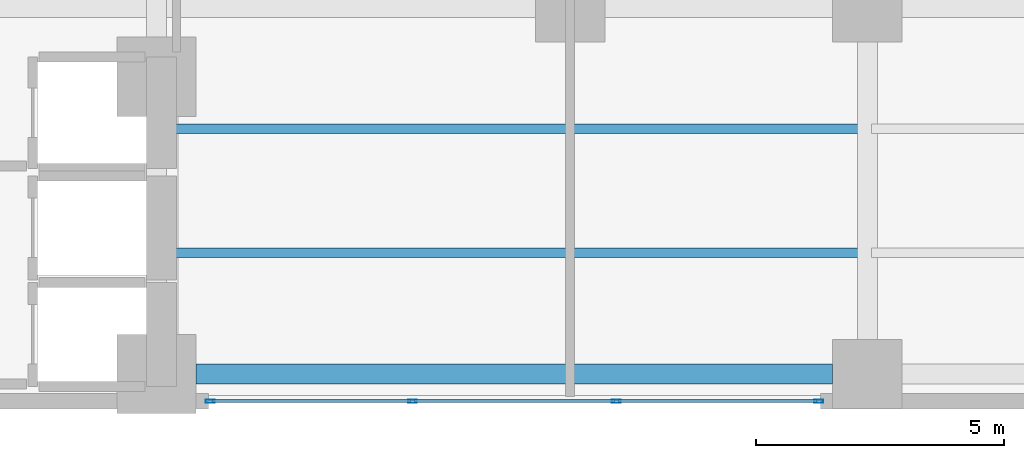
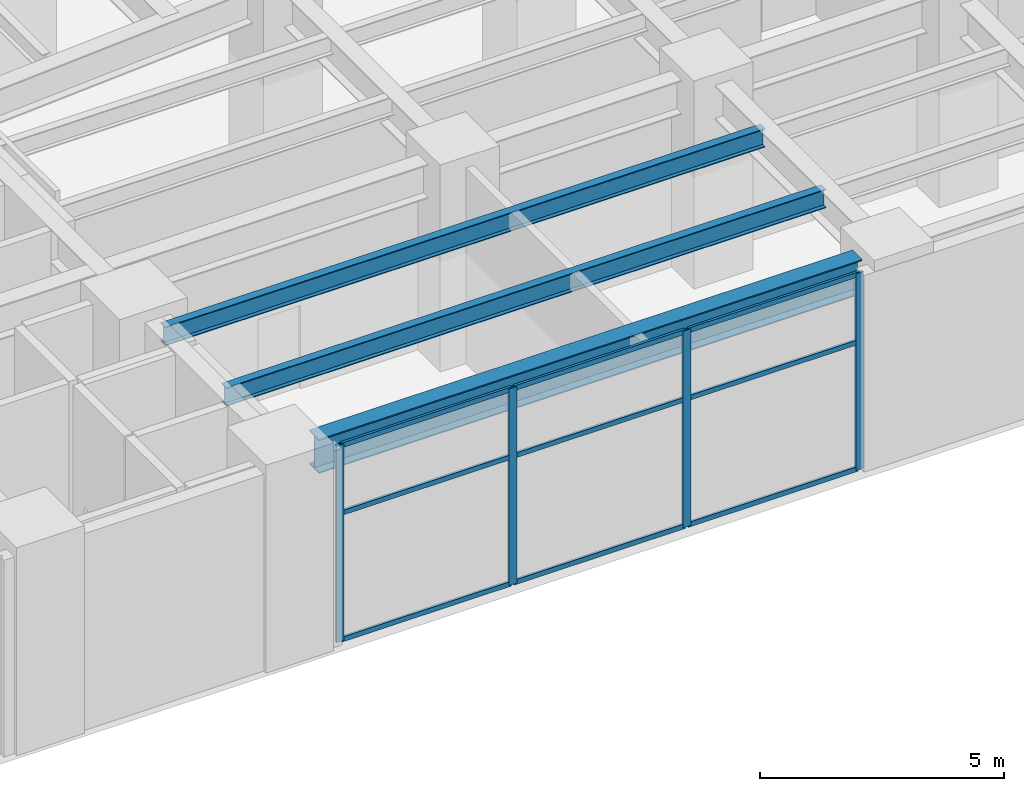
# One storey, part 4 of 29: 13 members, 3 beams, 1 element without a shape of its own.
"""IFC4 building model written with IfcOpenShell, lengths in metres."""

from ifc_helpers import new_model, si_unit, direction, frame, origin, origin_2d, place, context, subcontext, project, spatial, hollow_rectangle, i_section, extrude, material, layer, layer_set, material_profile, profile_set, type_object, element, aggregate, save


model = new_model("IFC4")

# Units and contexts
model_context = context("Model", 3, precision=1e-05, world=origin(), true_north=direction((0.0, 1.0)))
body_context = subcontext(model_context, "Body", "Model", "MODEL_VIEW")
ifc_project = project(units=[si_unit("LENGTHUNIT", "METRE"), si_unit("AREAUNIT", "SQUARE_METRE"), si_unit("VOLUMEUNIT", "CUBIC_METRE"), si_unit("PLANEANGLEUNIT", "RADIAN"), si_unit("MASSUNIT", "GRAM", prefix="KILO")], contexts=[model_context])

# Site, building, storey
site_placement = place(None, origin())
site = spatial("IfcSite", under=ifc_project, at=site_placement, CompositionType="ELEMENT")
building_placement = place(site_placement, origin())
building = spatial("IfcBuilding", under=site, at=building_placement, Name="Mawjaban Terraces University", CompositionType="ELEMENT")
storey_placement = place(building_placement, frame((0.0, 0.0, 15.60009765625)))
storey = spatial("IfcBuildingStorey", under=building, at=storey_placement, Name="L03", CompositionType="ELEMENT", Elevation=15.60009765625)

# Beams
ifc_material_1 = material(Name="Steel ASTM A572 Grade 50", Category="steel")
ifc_material_profile_1 = material_profile(ifc_material_1, i_section(OverallWidth=0.39990234375, OverallDepth=0.85498046875, WebThickness=0.018310546875, FlangeThickness=0.029296875, at=origin_2d()), Name="W840X299")
ifc_profile_set_1 = profile_set([ifc_material_profile_1], Name="Steel ASTM A572 Grade 50")
beam_type_1 = type_object("IfcBeamType", Name="Beam_B_W840X299", PredefinedType="BEAM", material=ifc_profile_set_1)
beam_placement = place(storey_placement, frame((38.449951171875, 0.550048828125, 4.492919921875), z_axis=(1.0, 0.0, 0.0), x_axis=(0.0, 1.0, 0.0)))
element("IfcBeam", 1, at=beam_placement, inside=storey, type_object=beam_type_1, Name="L03 Beam BM-L03-EW-01", PredefinedType="BEAM", context=body_context, shape_type="SweptSolid", body=[
    extrude(i_section(OverallWidth=0.39990234375, OverallDepth=0.85498046875, WebThickness=0.018310546875, FlangeThickness=0.029296875, at=origin_2d()), origin(), (0.0, 0.0, 1.0), 12.85009765625),
])
ifc_material_profile_2 = material_profile(ifc_material_1, i_section(OverallWidth=0.194091796875, OverallDepth=0.468994140625, WebThickness=0.011474609375, FlangeThickness=0.0205078125, at=origin_2d()), Name="W460X106")
ifc_profile_set_2 = profile_set([ifc_material_profile_2], Name="Steel ASTM A572 Grade 50")
beam_type_2 = type_object("IfcBeamType", Name="Beam_J_W460X106", PredefinedType="JOIST", material=ifc_profile_set_2)
for number, where, z_axis, x_axis, name in (
    (2, (37.72998046875, 3.0, 4.684814453125), (1.0, 0.0, 0.0), (0.0, 1.0, 0.0), "L03 Composite Joist JST-L03-01"),
    (3, (37.72998046875, 5.5, 4.684814453125), (1.0, 0.0, 0.0), (0.0, 1.0, 0.0), "L03 Composite Joist JST-L03-04"),
):
    element("IfcBeam", number, at=place(storey_placement, frame(where, z_axis=z_axis, x_axis=x_axis)), inside=storey, type_object=beam_type_2, Name=name, PredefinedType="JOIST", context=body_context, shape_type="SweptSolid", body=[
        extrude(i_section(OverallWidth=0.194091796875, OverallDepth=0.468994140625, WebThickness=0.011474609375, FlangeThickness=0.0205078125, at=origin_2d()), origin(), (0.0, 0.0, 1.0), 14.18994140625),
    ])

# Curtain wall, members
ifc_material_2 = material(Name="Anodised aluminium 6063-T6 and solar-control low-E glass", Category="aluminium")
ifc_layer = layer(ifc_material_2, 0.175048828125)
ifc_layer_set = layer_set([ifc_layer], Name="Anodised aluminium 6063-T6 and solar-control low-E glass")
curtain_wall_type = type_object("IfcCurtainWallType", Name="CWSystem_02_PodiumLibrary", PredefinedType="NOTDEFINED", material=ifc_layer_set)
curtain_wall_placement = place(storey_placement, origin())
curtain_wall = element("IfcCurtainWall", 4, at=curtain_wall_placement, inside=storey, type_object=curtain_wall_type, Name="L03 Curtain Wall CW-02 Run 1.2", PredefinedType="NOTDEFINED")
ifc_material_3 = material(Name="Anodised aluminium 6063-T6", Category="aluminium")
ifc_material_profile_3 = material_profile(ifc_material_3, hollow_rectangle(XDim=0.06494140625, YDim=0.179931640625, WallThickness=0.00390625, at=origin_2d()), Name="ALU180X65X4")
ifc_profile_set_3 = profile_set([ifc_material_profile_3], Name="Anodised aluminium 6063-T6")
member_type_1 = type_object("IfcMemberType", Name="Mullion_CW-02", PredefinedType="MULLION", material=ifc_profile_set_3)
member_1_placement = place(storey_placement, frame((38.732421875, 0.0, 0.0), z_axis=(0.0, 0.0, 1.0), x_axis=(0.0, 1.0, 0.0)))
member_1 = element("IfcMember", 5, at=member_1_placement, type_object=member_type_1, Name="CW-02 mullion 1", PredefinedType="MULLION", context=body_context, shape_type="SweptSolid", body=[
    extrude(hollow_rectangle(XDim=0.06494140625, YDim=0.179931640625, WallThickness=0.00390625, at=origin_2d()), origin(), (0.0, 0.0, 1.0), 4.919921875),
])
member_2_placement = place(storey_placement, frame((42.816650390625, 0.0, 0.0), z_axis=(0.0, 0.0, 1.0), x_axis=(0.0, 1.0, 0.0)))
member_2 = element("IfcMember", 6, at=member_2_placement, type_object=member_type_1, Name="CW-02 mullion 2", PredefinedType="MULLION", context=body_context, shape_type="SweptSolid", body=[
    extrude(hollow_rectangle(XDim=0.06494140625, YDim=0.179931640625, WallThickness=0.00390625, at=origin_2d()), origin(), (0.0, 0.0, 1.0), 4.919921875),
])
member_3_placement = place(storey_placement, frame((46.933349609375, 0.0, 0.0), z_axis=(0.0, 0.0, 1.0), x_axis=(0.0, 1.0, 0.0)))
member_3 = element("IfcMember", 7, at=member_3_placement, type_object=member_type_1, Name="CW-02 mullion 3", PredefinedType="MULLION", context=body_context, shape_type="SweptSolid", body=[
    extrude(hollow_rectangle(XDim=0.06494140625, YDim=0.179931640625, WallThickness=0.00390625, at=origin_2d()), origin(), (0.0, 0.0, 1.0), 4.919921875),
])
member_4_placement = place(storey_placement, frame((51.017578125, 0.0, 0.0), z_axis=(0.0, 0.0, 1.0), x_axis=(0.0, 1.0, 0.0)))
member_4 = element("IfcMember", 8, at=member_4_placement, type_object=member_type_1, Name="CW-02 mullion 4", PredefinedType="MULLION", context=body_context, shape_type="SweptSolid", body=[
    extrude(hollow_rectangle(XDim=0.06494140625, YDim=0.179931640625, WallThickness=0.00390625, at=origin_2d()), origin(), (0.0, 0.0, 1.0), 4.919921875),
])
ifc_material_profile_4 = material_profile(ifc_material_3, hollow_rectangle(XDim=0.06005859375, YDim=0.1201171875, WallThickness=0.00341796875, at=origin_2d()), Name="ALU120X60X3.5")
ifc_profile_set_4 = profile_set([ifc_material_profile_4], Name="Anodised aluminium 6063-T6")
member_type_2 = type_object("IfcMemberType", Name="Transom_CW-02", PredefinedType="NOTDEFINED", material=ifc_profile_set_4)
member_5_placement = place(storey_placement, frame((38.764892578125, 0.0, 0.02978515625), z_axis=(1.0, 0.0, 0.0), x_axis=(0.0, 1.0, 0.0)))
member_5 = element("IfcMember", 9, at=member_5_placement, type_object=member_type_2, Name="CW-02 transom 1.1", ObjectType="TRANSOM", PredefinedType="USERDEFINED", context=body_context, shape_type="SweptSolid", body=[
    extrude(hollow_rectangle(XDim=0.06005859375, YDim=0.1201171875, WallThickness=0.00341796875, at=origin_2d()), origin(), (0.0, 0.0, 1.0), 4.019287109375),
])
member_6_placement = place(storey_placement, frame((38.764892578125, 0.0, 3.197998046875), z_axis=(1.0, 0.0, 0.0), x_axis=(0.0, 1.0, 0.0)))
member_6 = element("IfcMember", 10, at=member_6_placement, type_object=member_type_2, Name="CW-02 transom 1.2", ObjectType="TRANSOM", PredefinedType="USERDEFINED", context=body_context, shape_type="SweptSolid", body=[
    extrude(hollow_rectangle(XDim=0.06005859375, YDim=0.1201171875, WallThickness=0.00341796875, at=origin_2d()), origin(), (0.0, 0.0, 1.0), 4.019287109375),
])
member_7_placement = place(storey_placement, frame((38.764892578125, 0.0, 4.889892578125), z_axis=(1.0, 0.0, 0.0), x_axis=(0.0, 1.0, 0.0)))
member_7 = element("IfcMember", 11, at=member_7_placement, type_object=member_type_2, Name="CW-02 transom 1.3", ObjectType="TRANSOM", PredefinedType="USERDEFINED", context=body_context, shape_type="SweptSolid", body=[
    extrude(hollow_rectangle(XDim=0.06005859375, YDim=0.1201171875, WallThickness=0.00341796875, at=origin_2d()), origin(), (0.0, 0.0, 1.0), 4.019287109375),
])
member_8_placement = place(storey_placement, frame((42.84912109375, 0.0, 0.02978515625), z_axis=(1.0, 0.0, 0.0), x_axis=(0.0, 1.0, 0.0)))
member_8 = element("IfcMember", 12, at=member_8_placement, type_object=member_type_2, Name="CW-02 transom 2.1", ObjectType="TRANSOM", PredefinedType="USERDEFINED", context=body_context, shape_type="SweptSolid", body=[
    extrude(hollow_rectangle(XDim=0.06005859375, YDim=0.1201171875, WallThickness=0.00341796875, at=origin_2d()), origin(), (0.0, 0.0, 1.0), 4.0517578125),
])
member_9_placement = place(storey_placement, frame((42.84912109375, 0.0, 3.197998046875), z_axis=(1.0, 0.0, 0.0), x_axis=(0.0, 1.0, 0.0)))
member_9 = element("IfcMember", 13, at=member_9_placement, type_object=member_type_2, Name="CW-02 transom 2.2", ObjectType="TRANSOM", PredefinedType="USERDEFINED", context=body_context, shape_type="SweptSolid", body=[
    extrude(hollow_rectangle(XDim=0.06005859375, YDim=0.1201171875, WallThickness=0.00341796875, at=origin_2d()), origin(), (0.0, 0.0, 1.0), 4.0517578125),
])
member_10_placement = place(storey_placement, frame((42.84912109375, 0.0, 4.889892578125), z_axis=(1.0, 0.0, 0.0), x_axis=(0.0, 1.0, 0.0)))
member_10 = element("IfcMember", 14, at=member_10_placement, type_object=member_type_2, Name="CW-02 transom 2.3", ObjectType="TRANSOM", PredefinedType="USERDEFINED", context=body_context, shape_type="SweptSolid", body=[
    extrude(hollow_rectangle(XDim=0.06005859375, YDim=0.1201171875, WallThickness=0.00341796875, at=origin_2d()), origin(), (0.0, 0.0, 1.0), 4.0517578125),
])
member_11_placement = place(storey_placement, frame((46.9658203125, 0.0, 0.02978515625), z_axis=(1.0, 0.0, 0.0), x_axis=(0.0, 1.0, 0.0)))
member_11 = element("IfcMember", 15, at=member_11_placement, type_object=member_type_2, Name="CW-02 transom 3.1", ObjectType="TRANSOM", PredefinedType="USERDEFINED", context=body_context, shape_type="SweptSolid", body=[
    extrude(hollow_rectangle(XDim=0.06005859375, YDim=0.1201171875, WallThickness=0.00341796875, at=origin_2d()), origin(), (0.0, 0.0, 1.0), 4.019287109375),
])
member_12_placement = place(storey_placement, frame((46.9658203125, 0.0, 3.197998046875), z_axis=(1.0, 0.0, 0.0), x_axis=(0.0, 1.0, 0.0)))
member_12 = element("IfcMember", 16, at=member_12_placement, type_object=member_type_2, Name="CW-02 transom 3.2", ObjectType="TRANSOM", PredefinedType="USERDEFINED", context=body_context, shape_type="SweptSolid", body=[
    extrude(hollow_rectangle(XDim=0.06005859375, YDim=0.1201171875, WallThickness=0.00341796875, at=origin_2d()), origin(), (0.0, 0.0, 1.0), 4.019287109375),
])
member_13_placement = place(storey_placement, frame((46.9658203125, 0.0, 4.889892578125), z_axis=(1.0, 0.0, 0.0), x_axis=(0.0, 1.0, 0.0)))
member_13 = element("IfcMember", 17, at=member_13_placement, type_object=member_type_2, Name="CW-02 transom 3.3", ObjectType="TRANSOM", PredefinedType="USERDEFINED", context=body_context, shape_type="SweptSolid", body=[
    extrude(hollow_rectangle(XDim=0.06005859375, YDim=0.1201171875, WallThickness=0.00341796875, at=origin_2d()), origin(), (0.0, 0.0, 1.0), 4.019287109375),
])
aggregate(curtain_wall, [member_1, member_2, member_3, member_4, member_5, member_6, member_7, member_8, member_9, member_10, member_11, member_12, member_13])

save(model, "model.ifc")
